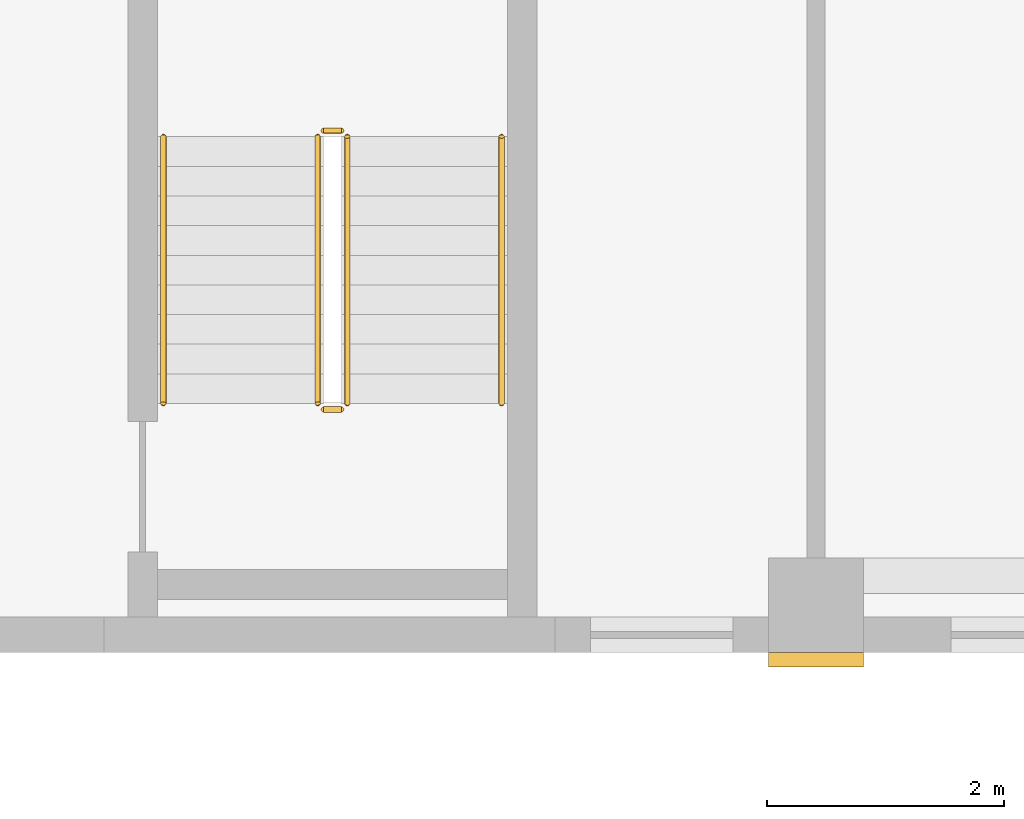
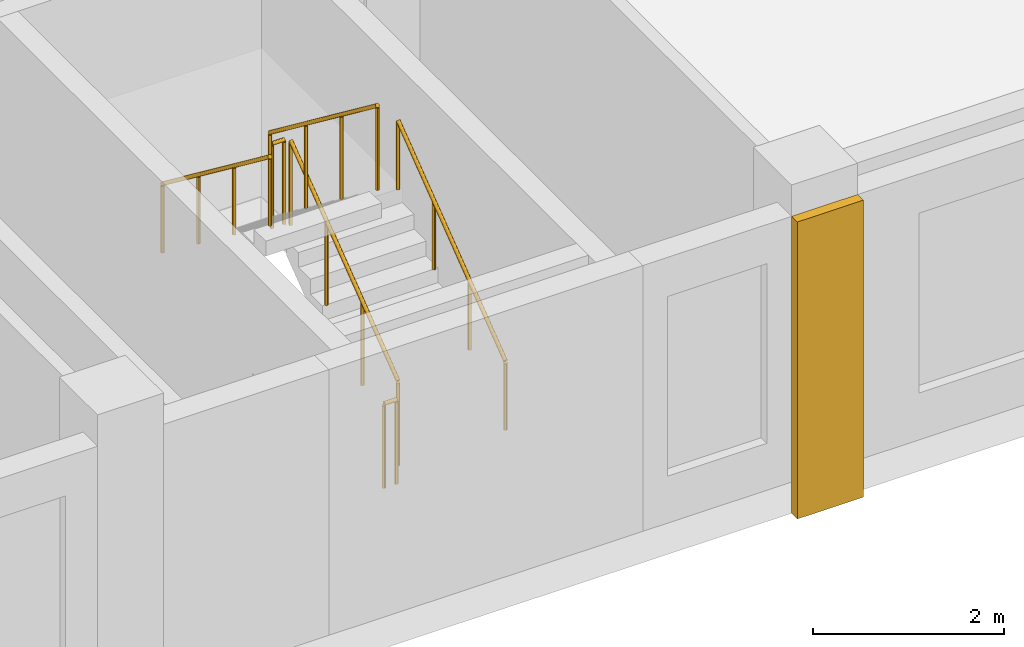
# One storey, part 13 of 14: 6 railings, 1 covering.
"""IFC4 building model written with IfcOpenShell, lengths in metres."""

from ifc_helpers import new_model, si_unit, direction, frame, origin, origin_2d, place, context, subcontext, project, spatial, rectangle, circle, extrude, source, transform, mapped, material, type_object, element, save


model = new_model("IFC4")

# Units and contexts
model_context = context("Model", 3, precision=1e-05, world=origin(), true_north=direction((0.0, 1.0)))
body_context = subcontext(model_context, "Body", "Model", "MODEL_VIEW")
ifc_project = project(units=[si_unit("LENGTHUNIT", "METRE"), si_unit("AREAUNIT", "SQUARE_METRE"), si_unit("VOLUMEUNIT", "CUBIC_METRE"), si_unit("PLANEANGLEUNIT", "RADIAN"), si_unit("MASSUNIT", "GRAM", prefix="KILO")], contexts=[model_context])

# Site, building, storey
site_placement = place(None, origin())
site = spatial("IfcSite", under=ifc_project, at=site_placement, CompositionType="ELEMENT")
building_placement = place(site_placement, origin())
building = spatial("IfcBuilding", under=site, at=building_placement, Name="Aurelian Terraces", CompositionType="ELEMENT")
storey_placement = place(building_placement, frame((0.0, 0.0, 231.0)))
storey = spatial("IfcBuildingStorey", under=building, at=storey_placement, Name="L52", CompositionType="ELEMENT", Elevation=231.0)

# Covering
ifc_material_1 = material(Name="Terracotta rainscreen cladding relief", Category="masonry")
covering_type = type_object("IfcCoveringType", Name="BAGUETTE-TC", PredefinedType="CLADDING", material=ifc_material_1)
shared_shape_1 = source(origin(), body_context, "Body", "SweptSolid", [
    extrude(rectangle(XDim=0.8, YDim=0.12, at=origin_2d()), origin(), (0.0, 0.0, 1.0), 3.8),
])
covering_placement = place(storey_placement, frame((46.2, -0.06, -0.4), z_axis=(0.0, 0.0, 1.0), x_axis=(1.0, 0.0, 0.0)))
element("IfcCovering", 1, at=covering_placement, inside=storey, type_object=covering_type, Name="BAGUETTE pier L52 3", PredefinedType="CLADDING", context=body_context, shape_type="MappedRepresentation", body=[
    mapped(shared_shape_1, transform((0.0, 0.0, 0.0), scale=1.0)),
])

# Railings
ifc_material_2 = material(Name="Stainless steel", Category="steel")
railing_type_1 = type_object("IfcRailingType", Name="Stair guard 1100", PredefinedType="GUARDRAIL", material=ifc_material_2)
shared_shape_2 = source(origin(), body_context, "Body", "SweptSolid", [
    extrude(circle(Radius=0.024, at=origin_2d()), frame((0.0, 0.0, 1.076), z_axis=(-1.0, 0.0, 0.0), x_axis=(0.0, -1.0, 0.0)), (0.0, 0.0, 1.0), 0.15),
    extrude(circle(Radius=0.021, at=origin_2d()), origin(), (0.0, 0.0, 1.0), 1.052),
    extrude(circle(Radius=0.021, at=origin_2d()), frame((-0.15, 0.0, 0.0)), (0.0, 0.0, 1.0), 1.052),
])
for number, where, name in (
    (2, (42.2, 4.4, 1.9), "L52 S2 stair guard 2"),
    (3, (42.2, 2.05, 0.0), "L52 S2 stair guard 4"),
):
    element("IfcRailing", number, at=place(storey_placement, frame(where)), inside=storey, type_object=railing_type_1, Name=name, PredefinedType="GUARDRAIL", context=body_context, shape_type="MappedRepresentation", body=[
        mapped(shared_shape_2, transform((0.0, 0.0, 0.0), scale=1.0)),
    ])
shared_shape_3 = source(origin(), body_context, "Body", "SweptSolid", [
    extrude(circle(Radius=0.024, at=origin_2d()), frame((0.0, 0.0, 1.076), z_axis=(0.0, 0.796162194123, 0.605083267534), x_axis=(-1.0, 0.0, 0.0)), (0.0, 0.0, 1.0), 2.8261),
    extrude(circle(Radius=0.021, at=origin_2d()), origin(), (0.0, 0.0, 1.0), 1.052),
    extrude(circle(Radius=0.021, at=origin_2d()), frame((0.0, 0.75, 0.57)), (0.0, 0.0, 1.0), 1.052),
    extrude(circle(Radius=0.021, at=origin_2d()), frame((0.0, 1.5, 1.14)), (0.0, 0.0, 1.0), 1.052),
    extrude(circle(Radius=0.021, at=origin_2d()), frame((0.0, 2.25, 1.71)), (0.0, 0.0, 1.0), 1.052),
])
railing_1_placement = place(storey_placement, frame((42.25, 2.1, 0.19)))
element("IfcRailing", 4, at=railing_1_placement, inside=storey, type_object=railing_type_1, Name="L52 S2 stair guard 1", PredefinedType="GUARDRAIL", context=body_context, shape_type="MappedRepresentation", body=[
    mapped(shared_shape_3, transform((0.0, 0.0, 0.0), scale=1.0)),
])
shared_shape_4 = source(origin(), body_context, "Body", "SweptSolid", [
    extrude(circle(Radius=0.024, at=origin_2d()), frame((0.0, 0.0, 1.076), z_axis=(0.0, -0.796162194123, 0.605083267534), x_axis=(1.0, 0.0, 0.0)), (0.0, 0.0, 1.0), 2.8261),
    extrude(circle(Radius=0.021, at=origin_2d()), origin(), (0.0, 0.0, 1.0), 1.052),
    extrude(circle(Radius=0.021, at=origin_2d()), frame((0.0, -0.75, 0.57)), (0.0, 0.0, 1.0), 1.052),
    extrude(circle(Radius=0.021, at=origin_2d()), frame((0.0, -1.5, 1.14)), (0.0, 0.0, 1.0), 1.052),
    extrude(circle(Radius=0.021, at=origin_2d()), frame((0.0, -2.25, 1.71)), (0.0, 0.0, 1.0), 1.052),
])
railing_2_placement = place(storey_placement, frame((42.0, 4.35, 2.09)))
element("IfcRailing", 5, at=railing_2_placement, inside=storey, type_object=railing_type_1, Name="L52 S2 stair guard 3", PredefinedType="GUARDRAIL", context=body_context, shape_type="MappedRepresentation", body=[
    mapped(shared_shape_4, transform((0.0, 0.0, 0.0), scale=1.0)),
])
railing_type_2 = type_object("IfcRailingType", Name="Stair handrail", PredefinedType="HANDRAIL", material=ifc_material_2)
shared_shape_5 = source(origin(), body_context, "Body", "SweptSolid", [
    extrude(circle(Radius=0.024, at=origin_2d()), frame((0.0, 0.0, 0.876), z_axis=(0.0, 0.796162194123, 0.605083267534), x_axis=(-1.0, 0.0, 0.0)), (0.0, 0.0, 1.0), 2.8261),
    extrude(circle(Radius=0.021, at=origin_2d()), origin(), (0.0, 0.0, 1.0), 0.852),
    extrude(circle(Radius=0.021, at=origin_2d()), frame((0.0, 0.75, 0.57)), (0.0, 0.0, 1.0), 0.852),
    extrude(circle(Radius=0.021, at=origin_2d()), frame((0.0, 1.5, 1.14)), (0.0, 0.0, 1.0), 0.852),
    extrude(circle(Radius=0.021, at=origin_2d()), frame((0.0, 2.25, 1.71)), (0.0, 0.0, 1.0), 0.852),
])
railing_3_placement = place(storey_placement, frame((43.55, 2.1, 0.19)))
element("IfcRailing", 6, at=railing_3_placement, inside=storey, type_object=railing_type_2, Name="L52 S2 stair handrail 1", PredefinedType="HANDRAIL", context=body_context, shape_type="MappedRepresentation", body=[
    mapped(shared_shape_5, transform((0.0, 0.0, 0.0), scale=1.0)),
])
shared_shape_6 = source(origin(), body_context, "Body", "SweptSolid", [
    extrude(circle(Radius=0.024, at=origin_2d()), frame((0.0, 0.0, 0.876), z_axis=(0.0, -0.796162194123, 0.605083267534), x_axis=(1.0, 0.0, 0.0)), (0.0, 0.0, 1.0), 2.8261),
    extrude(circle(Radius=0.021, at=origin_2d()), origin(), (0.0, 0.0, 1.0), 0.852),
    extrude(circle(Radius=0.021, at=origin_2d()), frame((0.0, -0.75, 0.57)), (0.0, 0.0, 1.0), 0.852),
    extrude(circle(Radius=0.021, at=origin_2d()), frame((0.0, -1.5, 1.14)), (0.0, 0.0, 1.0), 0.852),
    extrude(circle(Radius=0.021, at=origin_2d()), frame((0.0, -2.25, 1.71)), (0.0, 0.0, 1.0), 0.852),
])
railing_4_placement = place(storey_placement, frame((40.7, 4.35, 2.09)))
element("IfcRailing", 7, at=railing_4_placement, inside=storey, type_object=railing_type_2, Name="L52 S2 stair handrail 2", PredefinedType="HANDRAIL", context=body_context, shape_type="MappedRepresentation", body=[
    mapped(shared_shape_6, transform((0.0, 0.0, 0.0), scale=1.0)),
])

save(model, "model.ifc")
